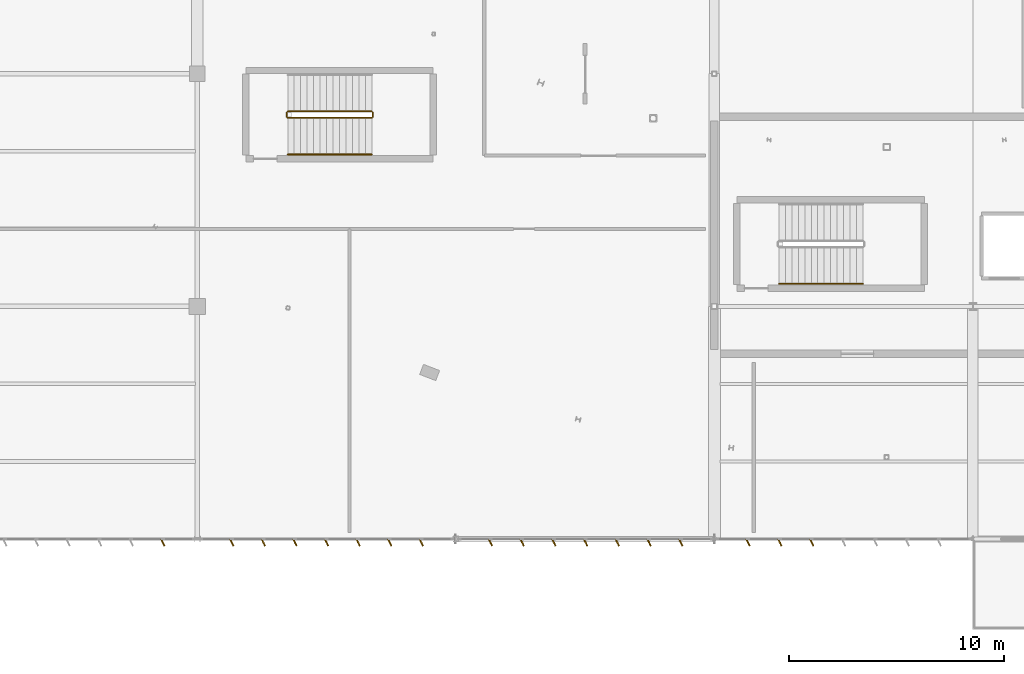
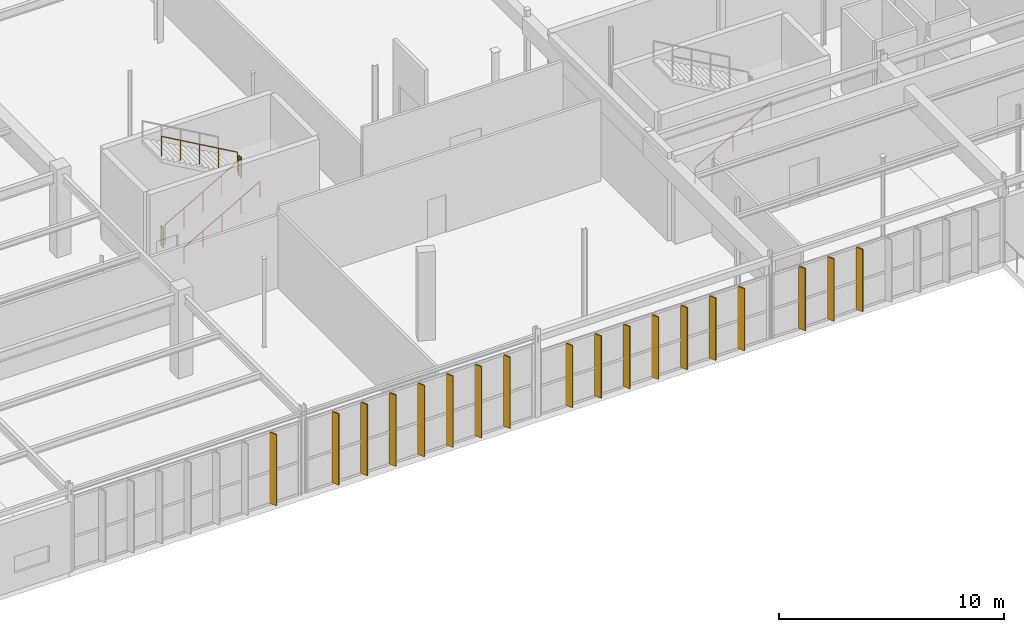
# One storey, part 178 of 199: 18 shading devices, 6 railings.
"""IFC4 building model written with IfcOpenShell, lengths in metres."""

from ifc_helpers import new_model, si_unit, direction, frame, origin, origin_2d, place, context, subcontext, project, spatial, rectangle, circle, extrude, material, layer, layer_set, type_object, element, save


model = new_model("IFC4")

# Units and contexts
model_context = context("Model", 3, precision=1e-05, world=origin(), true_north=direction((0.0, 1.0)))
body_context = subcontext(model_context, "Body", "Model", "MODEL_VIEW")
ifc_project = project(units=[si_unit("LENGTHUNIT", "METRE"), si_unit("AREAUNIT", "SQUARE_METRE"), si_unit("VOLUMEUNIT", "CUBIC_METRE"), si_unit("PLANEANGLEUNIT", "RADIAN"), si_unit("MASSUNIT", "GRAM", prefix="KILO")], contexts=[model_context])

# Site, building, storey
site_placement = place(None, origin())
site = spatial("IfcSite", under=ifc_project, at=site_placement, CompositionType="ELEMENT")
building_placement = place(site_placement, origin())
building = spatial("IfcBuilding", under=site, at=building_placement, Name="Tarnwether General Hospital", CompositionType="ELEMENT")
storey_placement = place(building_placement, origin())
storey = spatial("IfcBuildingStorey", under=building, at=storey_placement, Name="L00", CompositionType="ELEMENT", Elevation=0.0)

# Railings
ifc_material_1 = material(Name="Anodised aluminium", Category="aluminium")
railing_type_1 = type_object("IfcRailingType", Name="RL-GRD-INT", PredefinedType="GUARDRAIL", material=ifc_material_1)
railing_1_placement = place(storey_placement, frame((64.199951171875, 19.550048828125, 0.17138671875)))
element("IfcRailing", 1, at=railing_1_placement, inside=storey, type_object=railing_type_1, Name="L00 ST-09 stair guard 1", PredefinedType="GUARDRAIL", context=body_context, shape_type="SweptSolid", body=[
    extrude(circle(Radius=0.02392578125, at=origin_2d()), frame((0.0, 0.0, 1.076171875), z_axis=(0.868256520506, 0.0, 0.496115525457), x_axis=(0.0, 1.0, 0.0)), (0.0, 0.0, 1.0), 4.491943359375),
    extrude(circle(Radius=0.02099609375, at=origin_2d()), origin(), (0.0, 0.0, 1.0), 1.052001953125),
    extrude(circle(Radius=0.02099609375, at=origin_2d()), frame((0.97509765625, 0.0, 0.55712890625)), (0.0, 0.0, 1.0), 1.052001953125),
    extrude(circle(Radius=0.02099609375, at=origin_2d()), frame((1.9501953125, 0.0, 1.1142578125)), (0.0, 0.0, 1.0), 1.052001953125),
    extrude(circle(Radius=0.02099609375, at=origin_2d()), frame((2.925048828125, 0.0, 1.67138671875)), (0.0, 0.0, 1.0), 1.052001953125),
    extrude(circle(Radius=0.02099609375, at=origin_2d()), frame((3.900146484375, 0.0, 2.228515625)), (0.0, 0.0, 1.0), 1.052001953125),
])
railing_2_placement = place(storey_placement, frame((68.14990234375, 19.60009765625, 2.39990234375)))
element("IfcRailing", 2, at=railing_2_placement, inside=storey, type_object=railing_type_1, Name="L00 ST-09 stair guard 2", PredefinedType="GUARDRAIL", context=body_context, shape_type="SweptSolid", body=[
    extrude(circle(Radius=0.02392578125, at=origin_2d()), frame((0.0, 0.0, 1.076171875), z_axis=(0.0, 1.0, 0.0), x_axis=(-1.0, 0.0, 0.0)), (0.0, 0.0, 1.0), 0.199951171875),
    extrude(circle(Radius=0.02099609375, at=origin_2d()), origin(), (0.0, 0.0, 1.0), 1.052001953125),
    extrude(circle(Radius=0.02099609375, at=origin_2d()), frame((0.0, 0.199951171875, 0.0)), (0.0, 0.0, 1.0), 1.052001953125),
])
railing_3_placement = place(storey_placement, frame((68.10009765625, 19.85009765625, 2.571533203125)))
element("IfcRailing", 3, at=railing_3_placement, inside=storey, type_object=railing_type_1, Name="L00 ST-09 stair guard 3", PredefinedType="GUARDRAIL", context=body_context, shape_type="SweptSolid", body=[
    extrude(circle(Radius=0.02392578125, at=origin_2d()), frame((0.0, 0.0, 1.076171875), z_axis=(-0.868256520506, 0.0, 0.496115525457), x_axis=(0.0, -1.0, 0.0)), (0.0, 0.0, 1.0), 4.491943359375),
    extrude(circle(Radius=0.02099609375, at=origin_2d()), origin(), (0.0, 0.0, 1.0), 1.052001953125),
    extrude(circle(Radius=0.02099609375, at=origin_2d()), frame((-0.97509765625, 0.0, 0.55712890625)), (0.0, 0.0, 1.0), 1.052001953125),
    extrude(circle(Radius=0.02099609375, at=origin_2d()), frame((-1.9501953125, 0.0, 1.1142578125)), (0.0, 0.0, 1.0), 1.052001953125),
    extrude(circle(Radius=0.02099609375, at=origin_2d()), frame((-2.925048828125, 0.0, 1.67138671875)), (0.0, 0.0, 1.0), 1.052001953125),
    extrude(circle(Radius=0.02099609375, at=origin_2d()), frame((-3.900146484375, 0.0, 2.228515625)), (0.0, 0.0, 1.0), 1.052001953125),
])
railing_4_placement = place(storey_placement, frame((64.14990234375, 19.60009765625, 0.0)))
element("IfcRailing", 4, at=railing_4_placement, inside=storey, type_object=railing_type_1, Name="L00 ST-09 stair guard 4", PredefinedType="GUARDRAIL", context=body_context, shape_type="SweptSolid", body=[
    extrude(circle(Radius=0.02392578125, at=origin_2d()), frame((0.0, 0.0, 1.076171875), z_axis=(0.0, 1.0, 0.0), x_axis=(-1.0, 0.0, 0.0)), (0.0, 0.0, 1.0), 0.199951171875),
    extrude(circle(Radius=0.02099609375, at=origin_2d()), origin(), (0.0, 0.0, 1.0), 1.052001953125),
    extrude(circle(Radius=0.02099609375, at=origin_2d()), frame((0.0, 0.199951171875, 0.0)), (0.0, 0.0, 1.0), 1.052001953125),
])
ifc_material_2 = material(Name="Anodised aluminium", Category="aluminium")
railing_type_2 = type_object("IfcRailingType", Name="RL-HND-INT", PredefinedType="HANDRAIL", material=ifc_material_2)
railing_5_placement = place(storey_placement, frame((87.0, 11.85009765625, 0.17138671875)))
element("IfcRailing", 5, at=railing_5_placement, inside=storey, type_object=railing_type_2, Name="L00 ST-02 stair handrail 1", PredefinedType="HANDRAIL", context=body_context, shape_type="SweptSolid", body=[
    extrude(circle(Radius=0.02392578125, at=origin_2d()), frame((0.0, 0.0, 0.8759765625), z_axis=(0.868243142124, 0.0, 0.496138938357), x_axis=(0.0, 1.0, 0.0)), (0.0, 0.0, 1.0), 4.49169921875),
    extrude(circle(Radius=0.02099609375, at=origin_2d()), origin(), (0.0, 0.0, 1.0), 0.851806640625),
    extrude(circle(Radius=0.02099609375, at=origin_2d()), frame((0.97509765625, 0.0, 0.55712890625)), (0.0, 0.0, 1.0), 0.851806640625),
    extrude(circle(Radius=0.02099609375, at=origin_2d()), frame((1.949951171875, 0.0, 1.1142578125)), (0.0, 0.0, 1.0), 0.851806640625),
    extrude(circle(Radius=0.02099609375, at=origin_2d()), frame((2.9248046875, 0.0, 1.67138671875)), (0.0, 0.0, 1.0), 0.851806640625),
    extrude(circle(Radius=0.02099609375, at=origin_2d()), frame((3.89990234375, 0.0, 2.228515625)), (0.0, 0.0, 1.0), 0.851806640625),
])
railing_6_placement = place(storey_placement, frame((64.199951171875, 17.85009765625, 0.17138671875)))
element("IfcRailing", 6, at=railing_6_placement, inside=storey, type_object=railing_type_2, Name="L00 ST-09 stair handrail 1", PredefinedType="HANDRAIL", context=body_context, shape_type="SweptSolid", body=[
    extrude(circle(Radius=0.02392578125, at=origin_2d()), frame((0.0, 0.0, 0.8759765625), z_axis=(0.868256520506, 0.0, 0.496115525457), x_axis=(0.0, 1.0, 0.0)), (0.0, 0.0, 1.0), 4.491943359375),
    extrude(circle(Radius=0.02099609375, at=origin_2d()), origin(), (0.0, 0.0, 1.0), 0.851806640625),
    extrude(circle(Radius=0.02099609375, at=origin_2d()), frame((0.97509765625, 0.0, 0.55712890625)), (0.0, 0.0, 1.0), 0.851806640625),
    extrude(circle(Radius=0.02099609375, at=origin_2d()), frame((1.9501953125, 0.0, 1.1142578125)), (0.0, 0.0, 1.0), 0.851806640625),
    extrude(circle(Radius=0.02099609375, at=origin_2d()), frame((2.925048828125, 0.0, 1.67138671875)), (0.0, 0.0, 1.0), 0.851806640625),
    extrude(circle(Radius=0.02099609375, at=origin_2d()), frame((3.900146484375, 0.0, 2.228515625)), (0.0, 0.0, 1.0), 0.851806640625),
])

# Shading devices
ifc_material_3 = material(Name="Champagne-bronze anodised aluminium", Category="aluminium")
ifc_layer = layer(ifc_material_3, 0.06005859375)
ifc_layer_set = layer_set([ifc_layer], Name="Champagne-bronze anodised aluminium")
shading_device_type = type_object("IfcShadingDeviceType", Name="SH-FIN-BRZ", PredefinedType="USERDEFINED", material=ifc_layer_set)
for number, where, z_axis, x_axis, name in (
    (7, (88.52099609375, -0.159912109375, 0.050048828125), (0.0, 0.0, 1.0), (-0.906307787037, -0.422618261741, 0.0), "Champagne-Bronze Brise-Soleil Fin 0051"),
    (8, (87.0419921875, -0.159912109375, 0.050048828125), (0.0, 0.0, 1.0), (-0.906307787037, -0.422618261741, 0.0), "Champagne-Bronze Brise-Soleil Fin 0052"),
    (9, (85.56298828125, -0.159912109375, 0.050048828125), (0.0, 0.0, 1.0), (-0.906307787037, -0.422618261741, 0.0), "Champagne-Bronze Brise-Soleil Fin 0053"),
    (10, (82.443115234375, -0.159912109375, 0.050048828125), (0.0, 0.0, 1.0), (-0.906307787037, -0.422618261741, 0.0), "Champagne-Bronze Brise-Soleil Fin 0054"),
    (11, (80.970947265625, -0.159912109375, 0.050048828125), (0.0, 0.0, 1.0), (-0.906307787037, -0.422618261741, 0.0), "Champagne-Bronze Brise-Soleil Fin 0055"),
    (12, (79.498046875, -0.159912109375, 0.050048828125), (0.0, 0.0, 1.0), (-0.906307787037, -0.422618261741, 0.0), "Champagne-Bronze Brise-Soleil Fin 0056"),
    (13, (78.02490234375, -0.159912109375, 0.050048828125), (0.0, 0.0, 1.0), (-0.906307787037, -0.422618261741, 0.0), "Champagne-Bronze Brise-Soleil Fin 0057"),
    (14, (76.552978515625, -0.159912109375, 0.050048828125), (0.0, 0.0, 1.0), (-0.906307787037, -0.422618261741, 0.0), "Champagne-Bronze Brise-Soleil Fin 0058"),
    (15, (75.080078125, -0.159912109375, 0.050048828125), (0.0, 0.0, 1.0), (-0.906307787037, -0.422618261741, 0.0), "Champagne-Bronze Brise-Soleil Fin 0059"),
    (16, (73.60791015625, -0.159912109375, 0.050048828125), (0.0, 0.0, 1.0), (-0.906307787037, -0.422618261741, 0.0), "Champagne-Bronze Brise-Soleil Fin 0060"),
):
    element("IfcShadingDevice", number, at=place(storey_placement, frame(where, z_axis=z_axis, x_axis=x_axis)), inside=storey, type_object=shading_device_type, Name=name, ObjectType="SOLAR FIN", PredefinedType="USERDEFINED", context=body_context, shape_type="SweptSolid", body=[
        extrude(rectangle(XDim=0.06005859375, YDim=0.360107421875, at=origin_2d()), origin(), (0.0, 0.0, 1.0), 3.3798828125),
    ])
for number, where, z_axis, x_axis, name in (
    (17, (70.39892578125, -0.159912109375, 0.050048828125), (0.0, 0.0, 1.0), (-0.906307787037, -0.422618261741, 0.0), "Champagne-Bronze Brise-Soleil Fin 0061"),
    (18, (68.931884765625, -0.159912109375, 0.050048828125), (0.0, 0.0, 1.0), (-0.906307787037, -0.422618261741, 0.0), "Champagne-Bronze Brise-Soleil Fin 0062"),
    (19, (67.466064453125, -0.159912109375, 0.050048828125), (0.0, 0.0, 1.0), (-0.906307787037, -0.422618261741, 0.0), "Champagne-Bronze Brise-Soleil Fin 0063"),
    (20, (66.0, -0.159912109375, 0.050048828125), (0.0, 0.0, 1.0), (-0.906307787037, -0.422618261741, 0.0), "Champagne-Bronze Brise-Soleil Fin 0064"),
    (21, (64.533935546875, -0.159912109375, 0.050048828125), (0.0, 0.0, 1.0), (-0.906307787037, -0.422618261741, 0.0), "Champagne-Bronze Brise-Soleil Fin 0065"),
    (22, (63.06689453125, -0.159912109375, 0.050048828125), (0.0, 0.0, 1.0), (-0.906307787037, -0.422618261741, 0.0), "Champagne-Bronze Brise-Soleil Fin 0066"),
    (23, (61.60107421875, -0.159912109375, 0.050048828125), (0.0, 0.0, 1.0), (-0.906307787037, -0.422618261741, 0.0), "Champagne-Bronze Brise-Soleil Fin 0067"),
):
    element("IfcShadingDevice", number, at=place(storey_placement, frame(where, z_axis=z_axis, x_axis=x_axis)), inside=storey, type_object=shading_device_type, Name=name, ObjectType="SOLAR FIN", PredefinedType="USERDEFINED", context=body_context, shape_type="SweptSolid", body=[
        extrude(rectangle(XDim=0.06005859375, YDim=0.360107421875, at=origin_2d()), origin(), (0.0, 0.0, 1.0), 3.873046875),
    ])
shading_device_placement = place(storey_placement, frame((58.39892578125, -0.159912109375, 0.050048828125), z_axis=(0.0, 0.0, 1.0), x_axis=(-0.906307787037, -0.422618261741, 0.0)))
element("IfcShadingDevice", 24, at=shading_device_placement, inside=storey, type_object=shading_device_type, Name="Champagne-Bronze Brise-Soleil Fin 0068", ObjectType="SOLAR FIN", PredefinedType="USERDEFINED", context=body_context, shape_type="SweptSolid", body=[
    extrude(rectangle(XDim=0.06005859375, YDim=0.360107421875, at=origin_2d()), origin(), (0.0, 0.0, 1.0), 3.8701171875),
])

save(model, "model.ifc")
